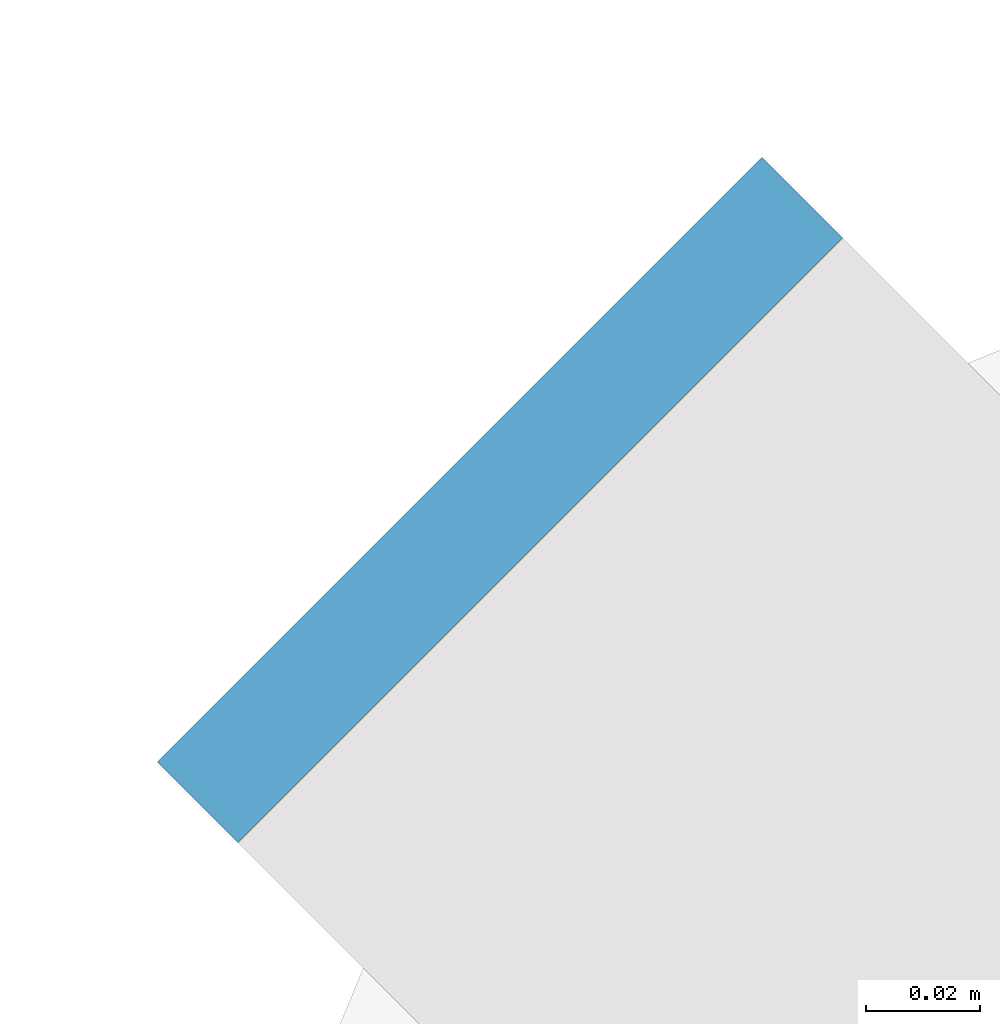
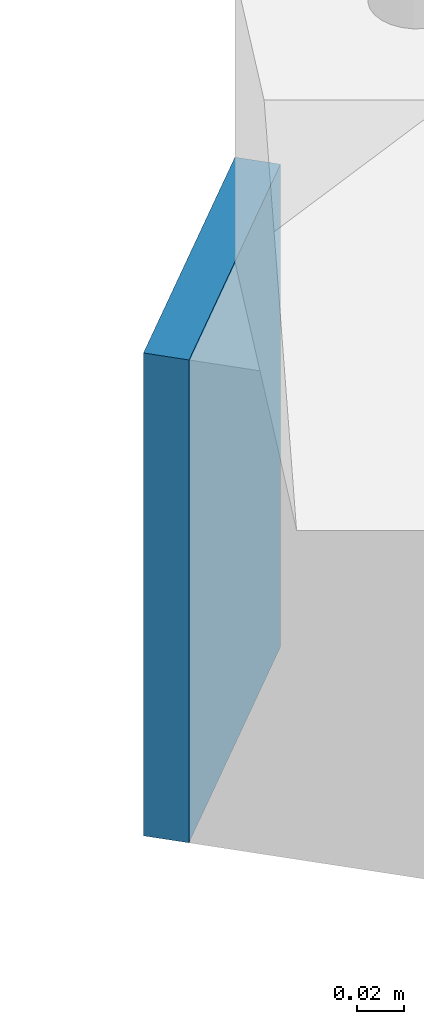
# One storey, part 20 of 29: 1 discrete accessory.
"""IFC4 building model written with IfcOpenShell, lengths in metres."""

from ifc_helpers import new_model, si_unit, direction, frame, origin, origin_2d, place, context, subcontext, project, spatial, rectangle, extrude, material, layer, layer_set, type_object, element, save


model = new_model("IFC4")

# Units and contexts
model_context = context("Model", 3, precision=1e-05, world=origin(), true_north=direction((0.0, 1.0)))
body_context = subcontext(model_context, "Body", "Model", "MODEL_VIEW")
ifc_project = project(units=[si_unit("LENGTHUNIT", "METRE"), si_unit("AREAUNIT", "SQUARE_METRE"), si_unit("VOLUMEUNIT", "CUBIC_METRE"), si_unit("PLANEANGLEUNIT", "RADIAN"), si_unit("MASSUNIT", "GRAM", prefix="KILO")], contexts=[model_context])

# Site, building, storey
site_placement = place(None, origin())
site = spatial("IfcSite", under=ifc_project, at=site_placement, CompositionType="ELEMENT")
building_placement = place(site_placement, origin())
building = spatial("IfcBuilding", under=site, at=building_placement, Name="Siwar Civic Tower", CompositionType="ELEMENT")
storey_placement = place(building_placement, frame((0.0, 0.0, 49.199951171875)))
storey = spatial("IfcBuildingStorey", under=building, at=storey_placement, Name="L10", CompositionType="ELEMENT", Elevation=49.199951171875)

# Discrete accessory
ifc_material = material(Name="Steel S355", Category="steel")
ifc_layer = layer(ifc_material, 0.02001953125)
ifc_layer_set = layer_set([ifc_layer], Name="Steel S355")
discrete_accessory_type = type_object("IfcDiscreteAccessoryType", Name="STR-END-CAP", PredefinedType="USERDEFINED", material=ifc_layer_set)
discrete_accessory_placement = place(storey_placement, frame((-30.478271484375, 30.478271484375, -0.39990234375), z_axis=(0.0, 0.0, 1.0), x_axis=(-0.707106781187, 0.707106781187, 0.0)))
element("IfcDiscreteAccessory", 1, at=discrete_accessory_placement, inside=storey, type_object=discrete_accessory_type, Name="End cap plate Balcony cantilever beam NW 2", ObjectType="END CAP PLATE", PredefinedType="USERDEFINED", context=body_context, shape_type="SweptSolid", body=[
    extrude(rectangle(XDim=0.02001953125, YDim=0.14990234375, at=origin_2d()), origin(), (0.0, 0.0, 1.0), 0.25),
])

save(model, "model.ifc")
